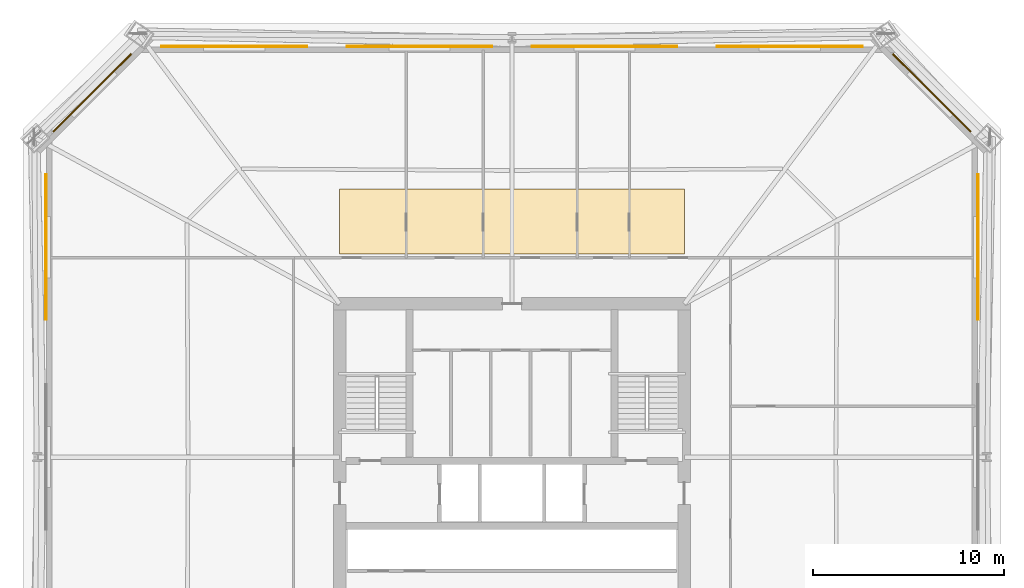
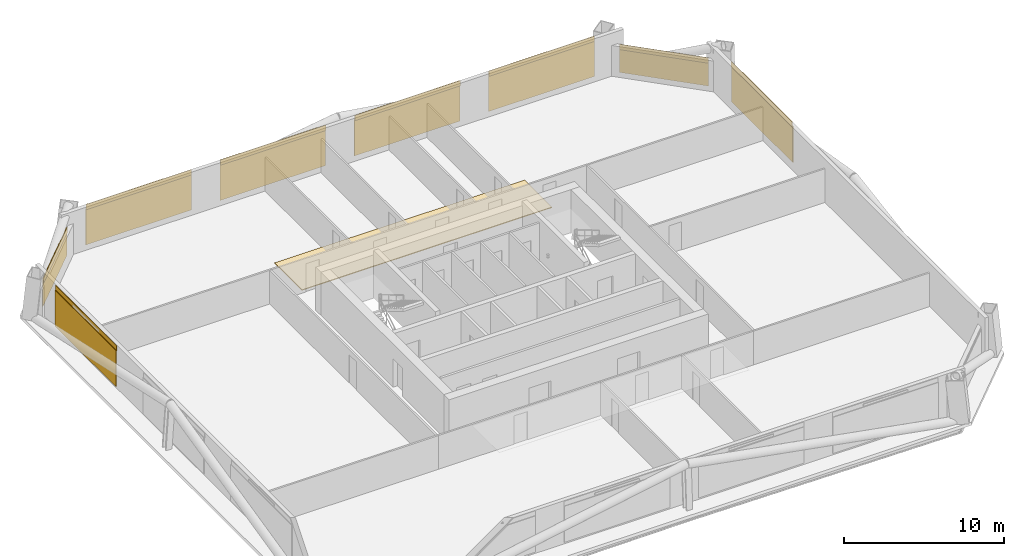
# One storey, part 9 of 9: 9 coverings, 8 shading devices.
"""IFC4 building model written with IfcOpenShell, lengths in metres."""

import ifcopenshell
import ifcopenshell.guid

model = None  # the IFC model being written
_history = None  # IfcOwnerHistory: only IFC2X3 demands one
_inside = {}  # id of a spatial element -> (the spatial element, [elements in it])
_under = {}  # id of a project, library or spatial element -> (it, [spatial elements below it])
_declared = {}  # id of a project -> (the project, [libraries it declares])
_typed = {}  # id of a type object -> (the type object, [elements of that type])
_made_of = {}  # id of a material, layer set ... -> (it, [elements and type objects made of it])


def new_model(schema):
    """Start an empty IFC model of exactly this schema.

    Asked for "IFC4X3", IfcOpenShell would pick the latest addendum, in which some entities
    have other attributes; the version numbers below select the first issue.
    IFC2X3 requires an IfcOwnerHistory on every rooted entity: one is made here for all.
    """
    global model, _history
    if schema == "IFC4X3":
        model = ifcopenshell.file(schema_version=(4, 3, 0, 0))
    else:
        model = ifcopenshell.file(schema=schema)
    _inside.clear()
    _under.clear()
    _declared.clear()
    _typed.clear()
    _made_of.clear()
    _history = None
    if model.schema == "IFC2X3":
        org = make("IfcOrganization", Name="unknown")
        user = make(
            "IfcPersonAndOrganization",
            ThePerson=make("IfcPerson", FamilyName="unknown"),
            TheOrganization=org,
        )
        app = make(
            "IfcApplication",
            ApplicationDeveloper=org,
            Version="unknown",
            ApplicationFullName="unknown",
            ApplicationIdentifier="unknown",
        )
        _history = make(
            "IfcOwnerHistory",
            OwningUser=user,
            OwningApplication=app,
            ChangeAction="ADDED",
            CreationDate=0,
        )
    return model


def make(cls, **values):
    """One entity of the class cls with the attributes given. An attribute that is None is left unset."""
    return model.create_entity(
        cls, **{name: value for name, value in values.items() if value is not None}
    )


def rooted(cls, **values):
    """An entity with a GlobalId (a new one), such as an element, a storey or a relation."""
    return make(cls, GlobalId=ifcopenshell.guid.new(), OwnerHistory=_history, **values)


def si_unit(unit_type, name, prefix=None):
    """IfcSIUnit, for example si_unit("LENGTHUNIT", "METRE", prefix="MILLI")."""
    return make("IfcSIUnit", UnitType=unit_type, Prefix=prefix, Name=name)


def assignment(units):
    """IfcUnitAssignment: the units of a project."""
    return None if units is None else make("IfcUnitAssignment", Units=units)


def point(xyz):
    """IfcCartesianPoint."""
    return None if xyz is None else make("IfcCartesianPoint", Coordinates=xyz)


def direction(xyz):
    """IfcDirection."""
    return None if xyz is None else make("IfcDirection", DirectionRatios=xyz)


def frame(location, z_axis=None, x_axis=None):
    """IfcAxis2Placement3D, a coordinate frame: its origin and axes. An axis left out is left unset."""
    return make(
        "IfcAxis2Placement3D",
        Location=point(location),
        Axis=direction(z_axis),
        RefDirection=direction(x_axis),
    )


def frame_2d(location, x_axis=None):
    """IfcAxis2Placement2D, a coordinate frame in the plane: its origin and x axis."""
    return make(
        "IfcAxis2Placement2D", Location=point(location), RefDirection=direction(x_axis)
    )


def origin():
    """The frame at (0, 0, 0) with its axes left unset."""
    return frame((0.0, 0.0, 0.0))


def origin_2d():
    """The frame at (0, 0) in the plane with its x axis left unset."""
    return frame_2d((0.0, 0.0))


def place(relative_to, where):
    """IfcLocalPlacement: puts the frame where relative to a parent placement (None: the world)."""
    return make(
        "IfcLocalPlacement", PlacementRelTo=relative_to, RelativePlacement=where
    )


def context(
    kind, dimensions, precision=None, world=None, true_north=None, identifier=None
):
    """IfcGeometricRepresentationContext, for example the 3D "Model" context."""
    return make(
        "IfcGeometricRepresentationContext",
        ContextIdentifier=identifier,
        ContextType=kind,
        CoordinateSpaceDimension=dimensions,
        Precision=precision,
        WorldCoordinateSystem=world,
        TrueNorth=true_north,
    )


def subcontext(parent, identifier, kind, view, scale=None):
    """IfcGeometricRepresentationSubContext, for example "Body" below "Model"."""
    return make(
        "IfcGeometricRepresentationSubContext",
        ContextIdentifier=identifier,
        ContextType=kind,
        ParentContext=parent,
        TargetScale=scale,
        TargetView=view,
    )


def project(units=None, contexts=None):
    """IfcProject with its units and contexts."""
    return rooted(
        "IfcProject",
        Name="project",
        RepresentationContexts=contexts,
        UnitsInContext=assignment(units),
    )


def spatial(cls, under=None, at=None, **own):
    """A site, building, storey or space (cls), placed at a placement, below another one or the project."""
    s = rooted(cls, ObjectPlacement=at, **own)
    if under is not None:
        _under.setdefault(under.id(), (under, []))[1].append(s)
    return s


def polyline(points):
    """IfcPolyline through the points."""
    return make("IfcPolyline", Points=[point(p) for p in points])


def profile(cls, at=None, kind="AREA", **sizes):
    """A parametric profile (cls). Its sizes go by their IFC names, for example OverallWidth=200.0."""
    return make(cls, ProfileType=kind, Position=at, **sizes)


def rectangle(**sizes):
    """IfcRectangleProfileDef."""
    return profile("IfcRectangleProfileDef", **sizes)


def outline(outer, holes=None, kind="AREA"):
    """IfcArbitraryClosedProfileDef: a profile drawn as a closed curve; with holes, ...WithVoids."""
    if holes is None:
        return make("IfcArbitraryClosedProfileDef", ProfileType=kind, OuterCurve=outer)
    return make(
        "IfcArbitraryProfileDefWithVoids",
        ProfileType=kind,
        OuterCurve=outer,
        InnerCurves=holes,
    )


def extrude(swept, where, along, depth):
    """IfcExtrudedAreaSolid: the profile swept, set in the frame where, extruded along a direction by depth."""
    return make(
        "IfcExtrudedAreaSolid",
        SweptArea=swept,
        Position=where,
        ExtrudedDirection=direction(along),
        Depth=depth,
    )


def shape(context_of_items, identifier, shape_type, items):
    """IfcShapeRepresentation: the items that make up one representation, for example the "Body"."""
    return make(
        "IfcShapeRepresentation",
        ContextOfItems=context_of_items,
        RepresentationIdentifier=identifier,
        RepresentationType=shape_type,
        Items=items,
    )


def material(Name=None, Category=None):
    """IfcMaterial."""
    return make("IfcMaterial", Name=Name, Category=Category)


def layer(
    of_material, thickness, ventilated=None, Name=None, Category=None, Priority=None
):
    """IfcMaterialLayer: one layer of a wall or slab, of a material (None: an air gap)."""
    return make(
        "IfcMaterialLayer",
        Material=of_material,
        LayerThickness=thickness,
        IsVentilated=ventilated,
        Name=Name,
        Category=Category,
        Priority=Priority,
    )


def layer_set(layers, Name=None):
    """IfcMaterialLayerSet."""
    return make("IfcMaterialLayerSet", MaterialLayers=layers, LayerSetName=Name)


def made_of(thing, what):
    """Note that an element or type object is made of a material, layer set ...; save() writes the relation."""
    if what is not None:
        _made_of.setdefault(what.id(), (what, []))[1].append(thing)
    return thing


def type_object(cls, material=None, **own):
    """A type object (cls), such as IfcWallType, which elements share."""
    return made_of(rooted(cls, **own), material)


def element(
    cls,
    number,
    at=None,
    inside=None,
    cuts=None,
    type_object=None,
    material=None,
    context=None,
    identifier="Body",
    shape_type=None,
    held_by="IfcProductDefinitionShape",
    body=None,
    shapes=None,
    **own,
):
    """One element of the class cls, such as IfcWall. Its Tag is "e" and its number.

    at: its placement. inside: the storey or other place that contains it. cuts: it is an
    opening in that element (IfcRelVoidsElement). A single representation is given by context,
    identifier, shape_type and body (its items); several are given by shapes. held_by: the class
    of the entity that holds the representations. save() writes the other relations.
    """
    e = rooted(cls, Tag="e%d" % number, ObjectPlacement=at, **own)
    if body is not None:
        shapes = [shape(context, identifier, shape_type, body)]
    if shapes is not None:
        e.Representation = make(held_by, Representations=shapes)
    if inside is not None:
        _inside.setdefault(inside.id(), (inside, []))[1].append(e)
    if cuts is not None:
        rooted(
            "IfcRelVoidsElement", RelatingBuildingElement=cuts, RelatedOpeningElement=e
        )
    if type_object is not None:
        _typed.setdefault(type_object.id(), (type_object, []))[1].append(e)
    return made_of(e, material)


def aggregate(whole, parts):
    """IfcRelAggregates: a whole, such as a stair, and the parts it consists of."""
    return rooted("IfcRelAggregates", RelatingObject=whole, RelatedObjects=parts)


def save(model, path):
    """Write the relations noted so far, then the file.

    IfcRelAggregates (storeys below a building ...), IfcRelContainedInSpatialStructure (elements
    in a storey), IfcRelDefinesByType, IfcRelAssociatesMaterial and IfcRelDeclares: one each for
    every whole, place, type object, material and project.
    """
    for whole, parts in _under.values():
        aggregate(whole, parts)
    for where, things in _inside.values():
        rooted(
            "IfcRelContainedInSpatialStructure",
            RelatedElements=things,
            RelatingStructure=where,
        )
    for kind, things in _typed.values():
        rooted("IfcRelDefinesByType", RelatedObjects=things, RelatingType=kind)
    for what, things in _made_of.values():
        rooted("IfcRelAssociatesMaterial", RelatedObjects=things, RelatingMaterial=what)
    for by, libraries in _declared.values():
        rooted("IfcRelDeclares", RelatingContext=by, RelatedDefinitions=libraries)
    model.write(path)


model = new_model("IFC4")

# Units and contexts
model_context = context("Model", 3, precision=1e-05, world=origin(), true_north=direction((0.0, 1.0)))
body_context = subcontext(model_context, "Body", "Model", "MODEL_VIEW")
ifc_project = project(units=[si_unit("LENGTHUNIT", "METRE"), si_unit("AREAUNIT", "SQUARE_METRE"), si_unit("VOLUMEUNIT", "CUBIC_METRE"), si_unit("PLANEANGLEUNIT", "RADIAN"), si_unit("MASSUNIT", "GRAM", prefix="KILO")], contexts=[model_context])

# Site, building, storey
site_placement = place(None, origin())
site = spatial("IfcSite", under=ifc_project, at=site_placement, CompositionType="ELEMENT")
building_placement = place(site_placement, origin())
building = spatial("IfcBuilding", under=site, at=building_placement, Name="Caelvoria Tower", CompositionType="ELEMENT")
storey_placement = place(building_placement, frame((0.0, 0.0, 82.0)))
storey = spatial("IfcBuildingStorey", under=building, at=storey_placement, Name="L21", CompositionType="ELEMENT", Elevation=82.0)

# Coverings
ifc_material_1 = material(Name="Perforated Architectural Bronze Cladding Screen", Category="bronze")
ifc_layer_1 = layer(ifc_material_1, 0.0400390625, Name="Perforated Architectural Bronze Cladding Screen")
ifc_layer_set_1 = layer_set([ifc_layer_1], Name="Perforated Bronze Louvre Cladding Band 40 - Perforated Architectural Bronze Cladding Screen")
covering_type_1 = type_object("IfcCoveringType", Name="Perforated Bronze Louvre Cladding Band 40", PredefinedType="CLADDING", material=ifc_layer_set_1)
covering_1_placement = place(storey_placement, frame((70.322021484375, 42.9599609375, 2.860107421875), z_axis=(0.0, 0.0, 1.0), x_axis=(0.0, 1.0, 0.0)))
element("IfcCovering", 1, at=covering_1_placement, inside=storey, type_object=covering_type_1, Name="Perforated Bronze Screen Band L21-E2-02", PredefinedType="CLADDING", context=body_context, shape_type="SweptSolid", body=[
    extrude(rectangle(XDim=7.60009765625, YDim=0.0400390625, at=origin_2d()), origin(), (0.0, 0.0, 1.0), 0.39990234375),
])
covering_2_placement = place(storey_placement, frame((67.90673828125, 51.006591796875, 1.923095703125), z_axis=(0.0, 0.0, 1.0), x_axis=(-0.707106781187, 0.707106781187, 0.0)))
element("IfcCovering", 2, at=covering_2_placement, inside=storey, type_object=covering_type_1, Name="Perforated Bronze Screen Band L21-E3-00", PredefinedType="CLADDING", context=body_context, shape_type="SweptSolid", body=[
    extrude(rectangle(XDim=5.745361328125, YDim=0.0400390625, at=origin_2d()), origin(), (0.0, 0.0, 1.0), 0.39990234375),
])
for number, where, z_axis, x_axis, name in (
    (3, (60.5048828125, 53.422119140625, 2.860107421875), (0.0, 0.0, 1.0), (-1.0, 0.0, 0.0), "Perforated Bronze Screen Band L21-E4-00"),
    (4, (50.8349609375, 53.422119140625, 2.860107421875), (0.0, 0.0, 1.0), (-1.0, 0.0, 0.0), "Perforated Bronze Screen Band L21-E4-01"),
    (5, (41.1650390625, 53.422119140625, 2.860107421875), (0.0, 0.0, 1.0), (-1.0, 0.0, 0.0), "Perforated Bronze Screen Band L21-E4-02"),
    (6, (31.4951171875, 53.422119140625, 2.860107421875), (0.0, 0.0, 1.0), (-1.0, 0.0, 0.0), "Perforated Bronze Screen Band L21-E4-03"),
):
    element("IfcCovering", number, at=place(storey_placement, frame(where, z_axis=z_axis, x_axis=x_axis)), inside=storey, type_object=covering_type_1, Name=name, PredefinedType="CLADDING", context=body_context, shape_type="SweptSolid", body=[
        extrude(rectangle(XDim=7.60009765625, YDim=0.0400390625, at=origin_2d()), origin(), (0.0, 0.0, 1.0), 0.39990234375),
    ])
covering_3_placement = place(storey_placement, frame((24.09326171875, 51.006591796875, 1.923095703125), z_axis=(0.0, 0.0, 1.0), x_axis=(-0.707106781187, -0.707106781187, 0.0)))
element("IfcCovering", 7, at=covering_3_placement, inside=storey, type_object=covering_type_1, Name="Perforated Bronze Screen Band L21-E5-00", PredefinedType="CLADDING", context=body_context, shape_type="SweptSolid", body=[
    extrude(rectangle(XDim=5.745361328125, YDim=0.0400390625, at=origin_2d()), origin(), (0.0, 0.0, 1.0), 0.39990234375),
])
covering_4_placement = place(storey_placement, frame((21.677978515625, 42.9599609375, 2.860107421875), z_axis=(0.0, 0.0, 1.0), x_axis=(0.0, -1.0, 0.0)))
element("IfcCovering", 8, at=covering_4_placement, inside=storey, type_object=covering_type_1, Name="Perforated Bronze Screen Band L21-E6-00", PredefinedType="CLADDING", context=body_context, shape_type="SweptSolid", body=[
    extrude(rectangle(XDim=7.60009765625, YDim=0.0400390625, at=origin_2d()), origin(), (0.0, 0.0, 1.0), 0.39990234375),
])

# Shading devices
ifc_material_2 = material(Name="Perforated Architectural Bronze Alloy Panel", Category="bronze")
ifc_layer_2 = layer(ifc_material_2, 0.044921875, Name="Perforated Architectural Bronze Alloy Panel")
ifc_layer_set_2 = layer_set([ifc_layer_2], Name="Perforated Bronze Solar Screen Panel SCREEN - Perforated Architectural Bronze Alloy Panel")
shading_device_type = type_object("IfcShadingDeviceType", Name="Perforated Bronze Solar Screen Panel SCREEN", PredefinedType="USERDEFINED", material=ifc_layer_set_2)
shading_device_1_placement = place(storey_placement, frame((70.364990234375, 42.9599609375, 0.159912109375), z_axis=(0.0, 0.0, 1.0), x_axis=(0.0, 1.0, 0.0)))
element("IfcShadingDevice", 9, at=shading_device_1_placement, inside=storey, type_object=shading_device_type, Name="Perforated Bronze Solar Screen L21-E2-02", ObjectType="SCREEN", PredefinedType="USERDEFINED", context=body_context, shape_type="SweptSolid", body=[
    extrude(rectangle(XDim=7.60009765625, YDim=0.044921875, at=origin_2d()), origin(), (0.0, 0.0, 1.0), 2.75),
])
shading_device_2_placement = place(storey_placement, frame((67.93701171875, 51.037109375, 0.159912109375), z_axis=(0.0, 0.0, 1.0), x_axis=(-0.707106781187, 0.707106781187, 0.0)))
element("IfcShadingDevice", 10, at=shading_device_2_placement, inside=storey, type_object=shading_device_type, Name="Perforated Bronze Solar Screen L21-E3-00", ObjectType="SCREEN", PredefinedType="USERDEFINED", context=body_context, shape_type="SweptSolid", body=[
    extrude(rectangle(XDim=5.745361328125, YDim=0.044921875, at=origin_2d()), origin(), (0.0, 0.0, 1.0), 2.10302734375),
])
for number, where, z_axis, x_axis, name in (
    (11, (60.5048828125, 53.465087890625, 0.159912109375), (0.0, 0.0, 1.0), (-1.0, 0.0, 0.0), "Perforated Bronze Solar Screen L21-E4-00"),
    (12, (50.8349609375, 53.465087890625, 0.159912109375), (0.0, 0.0, 1.0), (-1.0, 0.0, 0.0), "Perforated Bronze Solar Screen L21-E4-01"),
    (13, (41.1650390625, 53.465087890625, 0.159912109375), (0.0, 0.0, 1.0), (-1.0, 0.0, 0.0), "Perforated Bronze Solar Screen L21-E4-02"),
    (14, (31.4951171875, 53.465087890625, 0.159912109375), (0.0, 0.0, 1.0), (-1.0, 0.0, 0.0), "Perforated Bronze Solar Screen L21-E4-03"),
):
    element("IfcShadingDevice", number, at=place(storey_placement, frame(where, z_axis=z_axis, x_axis=x_axis)), inside=storey, type_object=shading_device_type, Name=name, ObjectType="SCREEN", PredefinedType="USERDEFINED", context=body_context, shape_type="SweptSolid", body=[
        extrude(rectangle(XDim=7.60009765625, YDim=0.044921875, at=origin_2d()), origin(), (0.0, 0.0, 1.0), 2.75),
    ])
shading_device_3_placement = place(storey_placement, frame((24.06298828125, 51.037109375, 0.159912109375), z_axis=(0.0, 0.0, 1.0), x_axis=(-0.707106781187, -0.707106781187, 0.0)))
element("IfcShadingDevice", 15, at=shading_device_3_placement, inside=storey, type_object=shading_device_type, Name="Perforated Bronze Solar Screen L21-E5-00", ObjectType="SCREEN", PredefinedType="USERDEFINED", context=body_context, shape_type="SweptSolid", body=[
    extrude(rectangle(XDim=5.745361328125, YDim=0.044921875, at=origin_2d()), origin(), (0.0, 0.0, 1.0), 2.10302734375),
])
shading_device_4_placement = place(storey_placement, frame((21.635009765625, 42.9599609375, 0.159912109375), z_axis=(0.0, 0.0, 1.0), x_axis=(0.0, -1.0, 0.0)))
element("IfcShadingDevice", 16, at=shading_device_4_placement, inside=storey, type_object=shading_device_type, Name="Perforated Bronze Solar Screen L21-E6-00", ObjectType="SCREEN", PredefinedType="USERDEFINED", context=body_context, shape_type="SweptSolid", body=[
    extrude(rectangle(XDim=7.60009765625, YDim=0.044921875, at=origin_2d()), origin(), (0.0, 0.0, 1.0), 2.75),
])

# Covering
ifc_material_3 = material(Name="Calcium-Sulphate Raised Floor Tile", Category="gypsum")
ifc_layer_3 = layer(ifc_material_3, 0.06005859375, Name="Calcium-Sulphate Raised Floor Tile")
ifc_layer_set_3 = layer_set([ifc_layer_3], Name="Raised Access Office Floor System 120 - Calcium-Sulphate Raised Floor Tile")
covering_type_2 = type_object("IfcCoveringType", Name="Raised Access Office Floor System 120", PredefinedType="FLOORING", material=ifc_layer_set_3)
covering_5_placement = place(storey_placement, origin())
element("IfcCovering", 17, at=covering_5_placement, inside=storey, type_object=covering_type_2, Name="Raised Access Flooring L21", PredefinedType="FLOORING", context=body_context, shape_type="SweptSolid", body=[
    extrude(outline(polyline([(37.0, 42.60009765625), (55.0, 42.60009765625), (55.0, 46.0), (37.0, 46.0), (37.0, 42.60009765625)])), origin(), (0.0, 0.0, 1.0), 0.06005859375),
])

save(model, "model.ifc")
